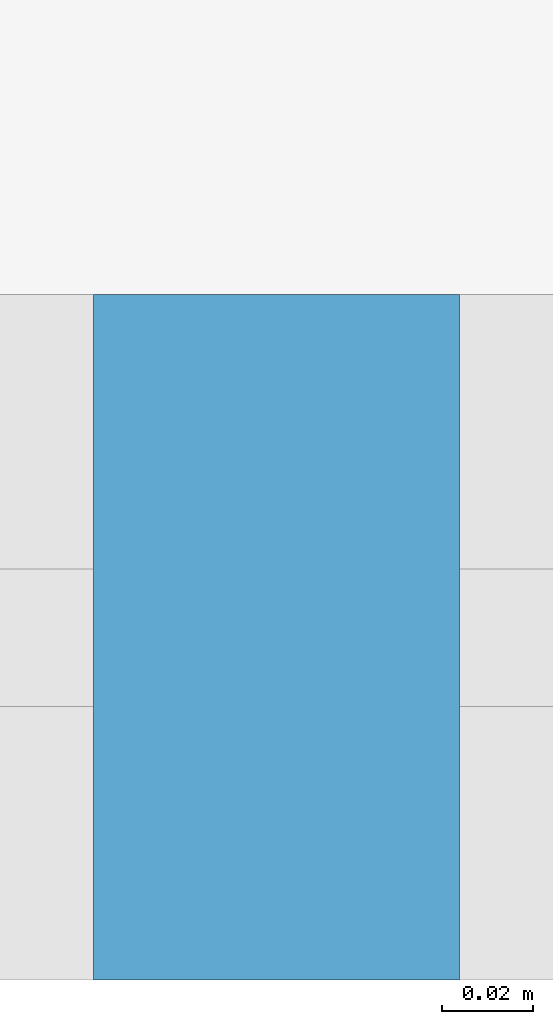
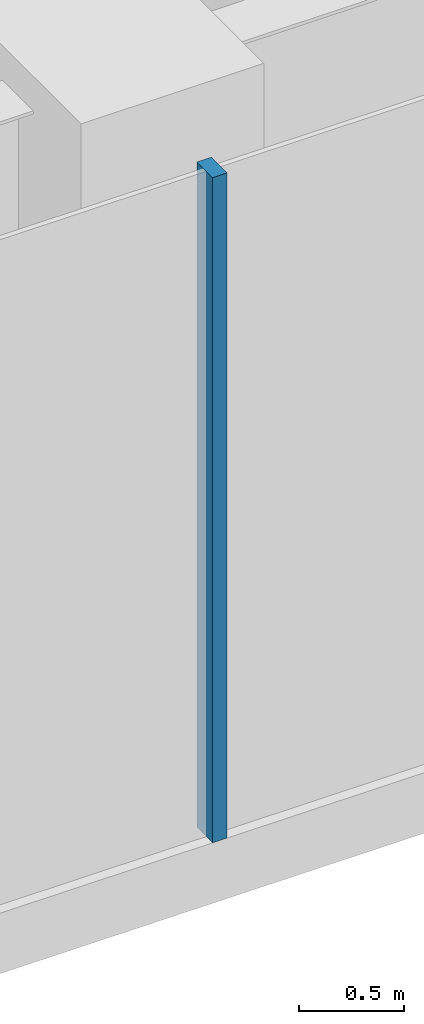
# One storey, part 5 of 26: 1 member, 1 element without a shape of its own.
"""IFC4 building model written with IfcOpenShell, lengths in metres."""

from ifc_helpers import new_model, si_unit, direction, frame, origin, origin_2d, place, context, subcontext, project, spatial, rectangle, extrude, material, layer, layer_set, material_profile, profile_set, type_object, element, aggregate, save


model = new_model("IFC4")

# Units and contexts
model_context = context("Model", 3, precision=1e-05, world=origin(), true_north=direction((0.0, 1.0)))
body_context = subcontext(model_context, "Body", "Model", "MODEL_VIEW")
ifc_project = project(units=[si_unit("LENGTHUNIT", "METRE"), si_unit("AREAUNIT", "SQUARE_METRE"), si_unit("VOLUMEUNIT", "CUBIC_METRE"), si_unit("PLANEANGLEUNIT", "RADIAN"), si_unit("MASSUNIT", "GRAM", prefix="KILO")], contexts=[model_context])

# Site, building, storey
site_placement = place(None, origin())
site = spatial("IfcSite", under=ifc_project, at=site_placement, CompositionType="ELEMENT")
building_placement = place(site_placement, origin())
building = spatial("IfcBuilding", under=site, at=building_placement, Name="Firuza Gate Tower and Library", CompositionType="ELEMENT")
storey_placement = place(building_placement, frame((0.0, 0.0, 77.800048828125)))
storey = spatial("IfcBuildingStorey", under=building, at=storey_placement, Name="L17", CompositionType="ELEMENT", Elevation=77.800048828125)

# Curtain wall, member
ifc_material_1 = material(Name="Aluminium 6063-T6", Category="aluminium")
ifc_layer = layer(ifc_material_1, 0.14990234375)
ifc_layer_set = layer_set([ifc_layer], Name="Unitised curtain wall, offices")
curtain_wall_type = type_object("IfcCurtainWallType", Name="Unitised curtain wall, offices", PredefinedType="NOTDEFINED", material=ifc_layer_set)
curtain_wall_placement = place(storey_placement, origin())
curtain_wall = element("IfcCurtainWall", 1, at=curtain_wall_placement, inside=storey, type_object=curtain_wall_type, Name="CW1 L17 S face", PredefinedType="NOTDEFINED")
ifc_material_2 = material(Name="Aluminium 6063-T6", Category="aluminium")
ifc_material_profile = material_profile(ifc_material_2, rectangle(XDim=0.14990234375, YDim=0.080078125, at=origin_2d()))
ifc_profile_set = profile_set([ifc_material_profile], Name="Aluminium 6063-T6")
member_type = type_object("IfcMemberType", Name="Curtain wall mullion 80x150", PredefinedType="MULLION", material=ifc_profile_set)
member_placement = place(storey_placement, frame((75.0, 54.339111328125, 0.14990234375), z_axis=(0.0, 0.0, 1.0), x_axis=(0.0, 1.0, 0.0)))
member = element("IfcMember", 2, at=member_placement, type_object=member_type, Name="Mullion", PredefinedType="MULLION", context=body_context, shape_type="SweptSolid", body=[
    extrude(rectangle(XDim=0.14990234375, YDim=0.080078125, at=origin_2d()), origin(), (0.0, 0.0, 1.0), 3.85009765625),
])
aggregate(curtain_wall, [member])

save(model, "model.ifc")
